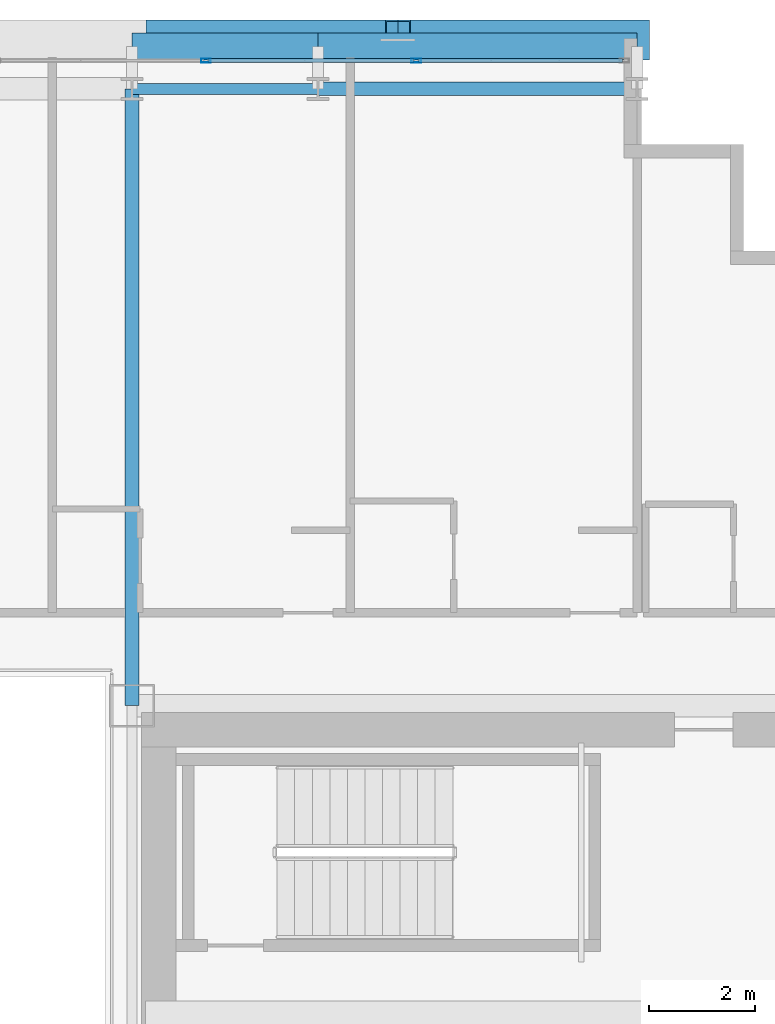
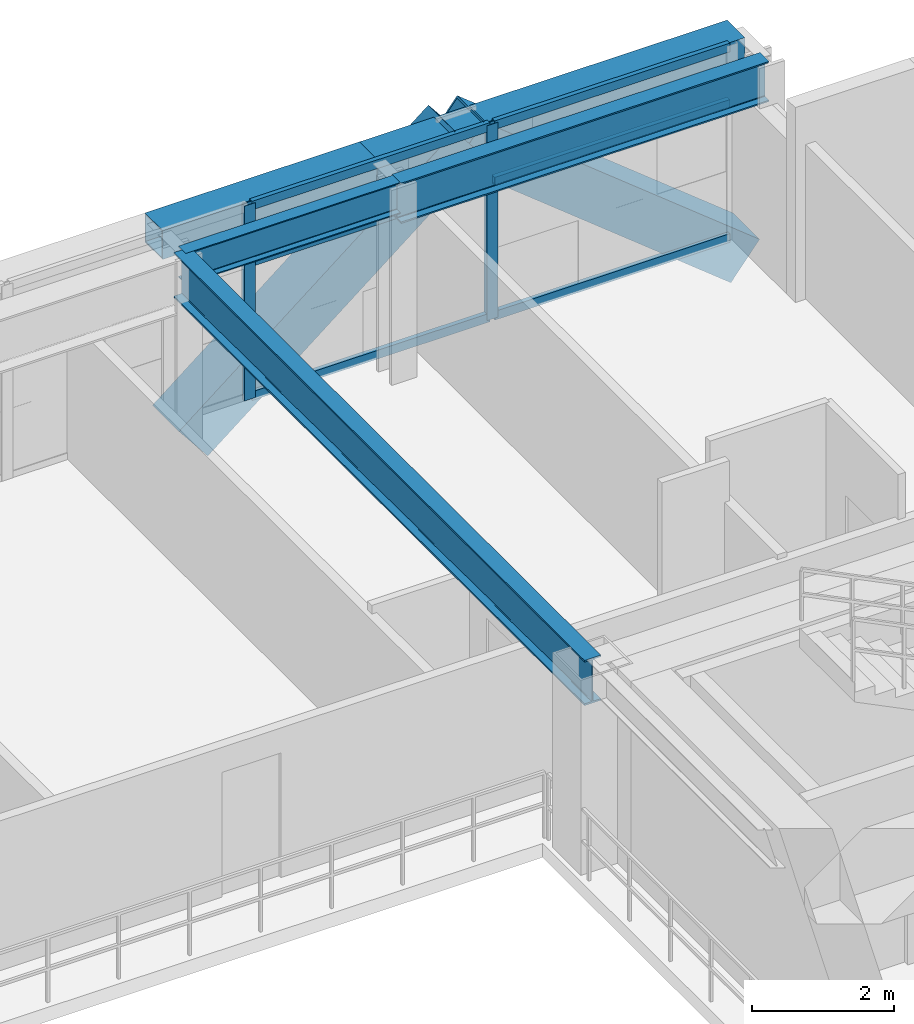
# One storey, part 21 of 35: 10 members, 5 beams, 1 element without a shape of its own.
"""IFC4 building model written with IfcOpenShell, lengths in metres."""

from ifc_helpers import new_model, si_unit, direction, frame, origin, origin_2d, place, context, subcontext, project, spatial, hollow_rectangle, i_section, extrude, source, transform, mapped, material, layer, layer_set, material_profile, profile_set, type_object, element, aggregate, save


model = new_model("IFC4")

# Units and contexts
model_context = context("Model", 3, precision=1e-05, world=origin(), true_north=direction((0.0, 1.0)))
body_context = subcontext(model_context, "Body", "Model", "MODEL_VIEW")
ifc_project = project(units=[si_unit("LENGTHUNIT", "METRE"), si_unit("AREAUNIT", "SQUARE_METRE"), si_unit("VOLUMEUNIT", "CUBIC_METRE"), si_unit("PLANEANGLEUNIT", "RADIAN"), si_unit("MASSUNIT", "GRAM", prefix="KILO")], contexts=[model_context])

# Site, building, storey
site_placement = place(None, origin())
site = spatial("IfcSite", under=ifc_project, at=site_placement, CompositionType="ELEMENT")
building_placement = place(site_placement, origin())
building = spatial("IfcBuilding", under=site, at=building_placement, Name="Ocotamira Hotel", CompositionType="ELEMENT")
storey_placement = place(building_placement, frame((0.0, 0.0, 118.800048828125)))
storey = spatial("IfcBuildingStorey", under=building, at=storey_placement, Name="L29", CompositionType="ELEMENT", Elevation=118.800048828125)

# Beams
ifc_material_1 = material(Name="Steel ASTM A992 Grade 50", Category="steel")
ifc_material_profile_1 = material_profile(ifc_material_1, i_section(OverallWidth=0.256103515625, OverallDepth=0.693115234375, WebThickness=0.014404296875, FlangeThickness=0.023681640625, FilletRadius=0.01611328125, at=origin_2d()), Name="W27X114")
ifc_profile_set_1 = profile_set([ifc_material_profile_1], Name="Steel ASTM A992 Grade 50")
beam_type_1 = type_object("IfcBeamType", Name="BM-PRIM-W27X114", PredefinedType="BEAM", material=ifc_profile_set_1)
shared_shape_1 = source(origin(), body_context, "Body", "SweptSolid", [
    extrude(i_section(OverallWidth=0.256103515625, OverallDepth=0.693115234375, WebThickness=0.014404296875, FlangeThickness=0.023681640625, FilletRadius=0.01611328125, at=origin_2d()), origin(), (0.0, 0.0, 1.0), 6.0),
])
beam_1_placement = place(storey_placement, frame((44.0, 49.050048828125, 3.013427734375), z_axis=(1.0, 0.0, 0.0), x_axis=(0.0, 1.0, 0.0)))
element("IfcBeam", 1, at=beam_1_placement, inside=storey, type_object=beam_type_1, Name="L29 Girder Y49.05 X44-50", PredefinedType="BEAM", context=body_context, shape_type="MappedRepresentation", body=[
    mapped(shared_shape_1, transform((0.0, 0.0, 0.0), scale=1.0)),
])
ifc_material_profile_2 = material_profile(ifc_material_1, i_section(OverallWidth=0.2099609375, OverallDepth=0.537109375, WebThickness=0.010986328125, FlangeThickness=0.017333984375, FilletRadius=0.012939453125, at=origin_2d()), Name="W21X68")
ifc_profile_set_2 = profile_set([ifc_material_profile_2], Name="Steel ASTM A992 Grade 50")
beam_type_2 = type_object("IfcBeamType", Name="BM-SEC-W21X68", PredefinedType="JOIST", material=ifc_profile_set_2)
shared_shape_2 = source(origin(), body_context, "Body", "SweptSolid", [
    extrude(i_section(OverallWidth=0.2099609375, OverallDepth=0.537109375, WebThickness=0.010986328125, FlangeThickness=0.017333984375, FilletRadius=0.012939453125, at=origin_2d()), origin(), (0.0, 0.0, 1.0), 3.5),
])
beam_2_placement = place(storey_placement, frame((40.5, 49.050048828125, 3.091552734375), z_axis=(1.0, 0.0, 0.0), x_axis=(0.0, 1.0, 0.0)))
element("IfcBeam", 2, at=beam_2_placement, inside=storey, type_object=beam_type_2, Name="L29 Girder Y49.05 X40.5-44", PredefinedType="JOIST", context=body_context, shape_type="MappedRepresentation", body=[
    mapped(shared_shape_2, transform((0.0, 0.0, 0.0), scale=1.0)),
])
ifc_material_profile_3 = material_profile(ifc_material_1, i_section(OverallWidth=0.26611328125, OverallDepth=0.779052734375, WebThickness=0.0166015625, FlangeThickness=0.030029296875, FilletRadius=0.01806640625, at=origin_2d()), Name="W30X148")
ifc_profile_set_3 = profile_set([ifc_material_profile_3], Name="Steel ASTM A992 Grade 50")
beam_type_3 = type_object("IfcBeamType", Name="BM-GIRD-W30X148", PredefinedType="BEAM", material=ifc_profile_set_3)
shared_shape_3 = source(origin(), body_context, "Body", "SweptSolid", [
    extrude(i_section(OverallWidth=0.26611328125, OverallDepth=0.779052734375, WebThickness=0.0166015625, FlangeThickness=0.030029296875, FilletRadius=0.01806640625, at=origin_2d()), origin(), (0.0, 0.0, 1.0), 11.60009765625),
])
beam_3_placement = place(storey_placement, frame((40.5, 37.449951171875, 2.970458984375), z_axis=(0.0, 1.0, 0.0), x_axis=(-1.0, 0.0, 0.0)))
element("IfcBeam", 3, at=beam_3_placement, inside=storey, type_object=beam_type_3, Name="L29 Beam X40.5 Y37.45-49.05", PredefinedType="BEAM", context=body_context, shape_type="MappedRepresentation", body=[
    mapped(shared_shape_3, transform((0.0, 0.0, 0.0), scale=1.0)),
])
ifc_material_2 = material(Name="Steel ASTM A500 Grade C", Category="steel")
ifc_material_profile_4 = material_profile(ifc_material_2, hollow_rectangle(XDim=0.5, YDim=0.5, WallThickness=0.02001953125, at=origin_2d()), Name="HSS500X500X20")
ifc_profile_set_4 = profile_set([ifc_material_profile_4], Name="Steel ASTM A500 Grade C")
beam_type_4 = type_object("IfcBeamType", Name="BM-SPAN-HSS500", PredefinedType="USERDEFINED", material=ifc_profile_set_4)
shared_shape_4 = source(origin(), body_context, "Body", "SweptSolid", [
    extrude(hollow_rectangle(XDim=0.5, YDim=0.5, WallThickness=0.02001953125, at=origin_2d()), origin(), (0.0, 0.0, 1.0), 6.0),
])
beam_4_placement = place(storey_placement, frame((44.0, 49.85009765625, 3.10986328125), z_axis=(1.0, 0.0, 0.0), x_axis=(0.0, 1.0, 0.0)))
element("IfcBeam", 4, at=beam_4_placement, inside=storey, type_object=beam_type_4, Name="L29 Edge Spandrel N X44-50", ObjectType="SPANDREL", PredefinedType="USERDEFINED", context=body_context, shape_type="MappedRepresentation", body=[
    mapped(shared_shape_4, transform((0.0, 0.0, 0.0), scale=1.0)),
])
shared_shape_5 = source(origin(), body_context, "Body", "SweptSolid", [
    extrude(hollow_rectangle(XDim=0.5, YDim=0.5, WallThickness=0.02001953125, at=origin_2d()), origin(), (0.0, 0.0, 1.0), 3.5),
])
beam_5_placement = place(storey_placement, frame((40.5, 49.85009765625, 3.10986328125), z_axis=(1.0, 0.0, 0.0), x_axis=(0.0, 1.0, 0.0)))
element("IfcBeam", 5, at=beam_5_placement, inside=storey, type_object=beam_type_4, Name="L29 Edge Spandrel N X40.5-44", ObjectType="SPANDREL", PredefinedType="USERDEFINED", context=body_context, shape_type="MappedRepresentation", body=[
    mapped(shared_shape_5, transform((0.0, 0.0, 0.0), scale=1.0)),
])

# Members
ifc_material_3 = material(Name="Pale-metal coated steel ASTM A913 Grade 65", Category="steel")
ifc_material_profile_5 = material_profile(ifc_material_3, hollow_rectangle(XDim=0.75, YDim=0.75, WallThickness=0.028076171875, at=origin_2d()), Name="BOX750X750X28")
ifc_profile_set_5 = profile_set([ifc_material_profile_5], Name="Pale-metal coated steel ASTM A913 Grade 65")
member_type_1 = type_object("IfcMemberType", Name="MEM-EXO-BOX750", PredefinedType="BRACE", material=ifc_profile_set_5)
shared_shape_6 = source(origin(), body_context, "Body", "SweptSolid", [
    extrude(hollow_rectangle(XDim=0.75, YDim=0.75, WallThickness=0.028076171875, at=origin_2d()), origin(), (0.0, 0.0, 1.0), 5.7626953125),
])
for number, where, z_axis, x_axis, name in (
    (6, (41.0, 49.969970703125, -0.489990234375), (0.780881208953, 0.0, 0.624679547852), (0.0, 1.0, 0.0), "L29 Exoskeleton Diagrid N3.1"),
    (7, (50.0, 49.969970703125, -0.489990234375), (-0.780881208953, 0.0, 0.624679547852), (0.0, -1.0, 0.0), "L29 Exoskeleton Diagrid N3.2"),
):
    element("IfcMember", number, at=place(storey_placement, frame(where, z_axis=z_axis, x_axis=x_axis)), inside=storey, type_object=member_type_1, Name=name, PredefinedType="BRACE", context=body_context, shape_type="MappedRepresentation", body=[
        mapped(shared_shape_6, transform((0.0, 0.0, 0.0), scale=1.0)),
    ])

# Curtain wall, members
ifc_material_4 = material(Name="Anodised pale-metal aluminium and solar glass", Category="aluminium")
ifc_layer = layer(ifc_material_4, 0.179931640625)
ifc_layer_set = layer_set([ifc_layer], Name="Anodised pale-metal aluminium and solar glass")
curtain_wall_type = type_object("IfcCurtainWallType", Name="CW-SYS3-Z2", PredefinedType="NOTDEFINED", material=ifc_layer_set)
curtain_wall_placement = place(storey_placement, origin())
curtain_wall = element("IfcCurtainWall", 8, at=curtain_wall_placement, inside=storey, type_object=curtain_wall_type, Name="L29 Curtain Wall CW-3 CW-L29-N", PredefinedType="NOTDEFINED")
ifc_material_5 = material(Name="Anodised pale-metal aluminium 6063-T6", Category="aluminium")
ifc_material_profile_6 = material_profile(ifc_material_5, hollow_rectangle(XDim=0.074951171875, YDim=0.14990234375, WallThickness=0.006103515625, at=origin_2d()), Name="HSS150X75X6")
ifc_profile_set_6 = profile_set([ifc_material_profile_6], Name="Anodised pale-metal aluminium 6063-T6")
member_type_2 = type_object("IfcMemberType", Name="CWT-150X75", PredefinedType="USERDEFINED", material=ifc_profile_set_6)
shared_shape_7 = source(origin(), body_context, "Body", "SweptSolid", [
    extrude(hollow_rectangle(XDim=0.074951171875, YDim=0.14990234375, WallThickness=0.006103515625, at=origin_2d()), origin(), (0.0, 0.0, 1.0), 3.83544921875),
])
member_1_placement = place(storey_placement, frame((45.884521484375, 49.580078125, 0.037353515625), z_axis=(1.0, 0.0, 0.0), x_axis=(0.0, 1.0, 0.0)))
member_1 = element("IfcMember", 9, at=member_1_placement, type_object=member_type_2, Name="CW-3 transom 9.1", ObjectType="TRANSOM", PredefinedType="USERDEFINED", context=body_context, shape_type="MappedRepresentation", body=[
    mapped(shared_shape_7, transform((0.0, 0.0, 0.0), scale=1.0)),
])
member_2_placement = place(storey_placement, frame((45.884521484375, 49.580078125, 2.349853515625), z_axis=(1.0, 0.0, 0.0), x_axis=(0.0, 1.0, 0.0)))
member_2 = element("IfcMember", 10, at=member_2_placement, type_object=member_type_2, Name="CW-3 transom 9.2", ObjectType="TRANSOM", PredefinedType="USERDEFINED", context=body_context, shape_type="MappedRepresentation", body=[
    mapped(shared_shape_7, transform((0.0, 0.0, 0.0), scale=1.0)),
])
member_3_placement = place(storey_placement, frame((45.884521484375, 49.580078125, 3.322509765625), z_axis=(1.0, 0.0, 0.0), x_axis=(0.0, 1.0, 0.0)))
member_3 = element("IfcMember", 11, at=member_3_placement, type_object=member_type_2, Name="CW-3 transom 9.3", ObjectType="TRANSOM", PredefinedType="USERDEFINED", context=body_context, shape_type="MappedRepresentation", body=[
    mapped(shared_shape_7, transform((0.0, 0.0, 0.0), scale=1.0)),
])
shared_shape_8 = source(origin(), body_context, "Body", "SweptSolid", [
    extrude(hollow_rectangle(XDim=0.074951171875, YDim=0.14990234375, WallThickness=0.006103515625, at=origin_2d()), origin(), (0.0, 0.0, 1.0), 3.87548828125),
])
member_4_placement = place(storey_placement, frame((41.928955078125, 49.580078125, 0.037353515625), z_axis=(1.0, 0.0, 0.0), x_axis=(0.0, 1.0, 0.0)))
member_4 = element("IfcMember", 12, at=member_4_placement, type_object=member_type_2, Name="CW-3 transom 8.1", ObjectType="TRANSOM", PredefinedType="USERDEFINED", context=body_context, shape_type="MappedRepresentation", body=[
    mapped(shared_shape_8, transform((0.0, 0.0, 0.0), scale=1.0)),
])
member_5_placement = place(storey_placement, frame((41.928955078125, 49.580078125, 2.349853515625), z_axis=(1.0, 0.0, 0.0), x_axis=(0.0, 1.0, 0.0)))
member_5 = element("IfcMember", 13, at=member_5_placement, type_object=member_type_2, Name="CW-3 transom 8.2", ObjectType="TRANSOM", PredefinedType="USERDEFINED", context=body_context, shape_type="MappedRepresentation", body=[
    mapped(shared_shape_8, transform((0.0, 0.0, 0.0), scale=1.0)),
])
member_6_placement = place(storey_placement, frame((41.928955078125, 49.580078125, 3.322509765625), z_axis=(1.0, 0.0, 0.0), x_axis=(0.0, 1.0, 0.0)))
member_6 = element("IfcMember", 14, at=member_6_placement, type_object=member_type_2, Name="CW-3 transom 8.3", ObjectType="TRANSOM", PredefinedType="USERDEFINED", context=body_context, shape_type="MappedRepresentation", body=[
    mapped(shared_shape_8, transform((0.0, 0.0, 0.0), scale=1.0)),
])
ifc_material_profile_7 = material_profile(ifc_material_5, hollow_rectangle(XDim=0.080078125, YDim=0.179931640625, WallThickness=0.006103515625, at=origin_2d()), Name="HSS180X80X6")
ifc_profile_set_7 = profile_set([ifc_material_profile_7], Name="Anodised pale-metal aluminium 6063-T6")
member_type_3 = type_object("IfcMemberType", Name="CWM-180X75", PredefinedType="MULLION", material=ifc_profile_set_7)
shared_shape_9 = source(origin(), body_context, "Body", "SweptSolid", [
    extrude(hollow_rectangle(XDim=0.080078125, YDim=0.179931640625, WallThickness=0.006103515625, at=origin_2d()), origin(), (0.0, 0.0, 1.0), 3.35986328125),
])
member_7_placement = place(storey_placement, frame((41.888916015625, 49.580078125, 0.0), z_axis=(0.0, 0.0, 1.0), x_axis=(0.0, 1.0, 0.0)))
member_7 = element("IfcMember", 15, at=member_7_placement, type_object=member_type_3, Name="CW-3 mullion 8", PredefinedType="MULLION", context=body_context, shape_type="MappedRepresentation", body=[
    mapped(shared_shape_9, transform((0.0, 0.0, 0.0), scale=1.0)),
])
member_8_placement = place(storey_placement, frame((45.844482421875, 49.580078125, 0.0), z_axis=(0.0, 0.0, 1.0), x_axis=(0.0, 1.0, 0.0)))
member_8 = element("IfcMember", 16, at=member_8_placement, type_object=member_type_3, Name="CW-3 mullion 9", PredefinedType="MULLION", context=body_context, shape_type="MappedRepresentation", body=[
    mapped(shared_shape_9, transform((0.0, 0.0, 0.0), scale=1.0)),
])
aggregate(curtain_wall, [member_7, member_8, member_4, member_5, member_6, member_1, member_2, member_3])

save(model, "model.ifc")
